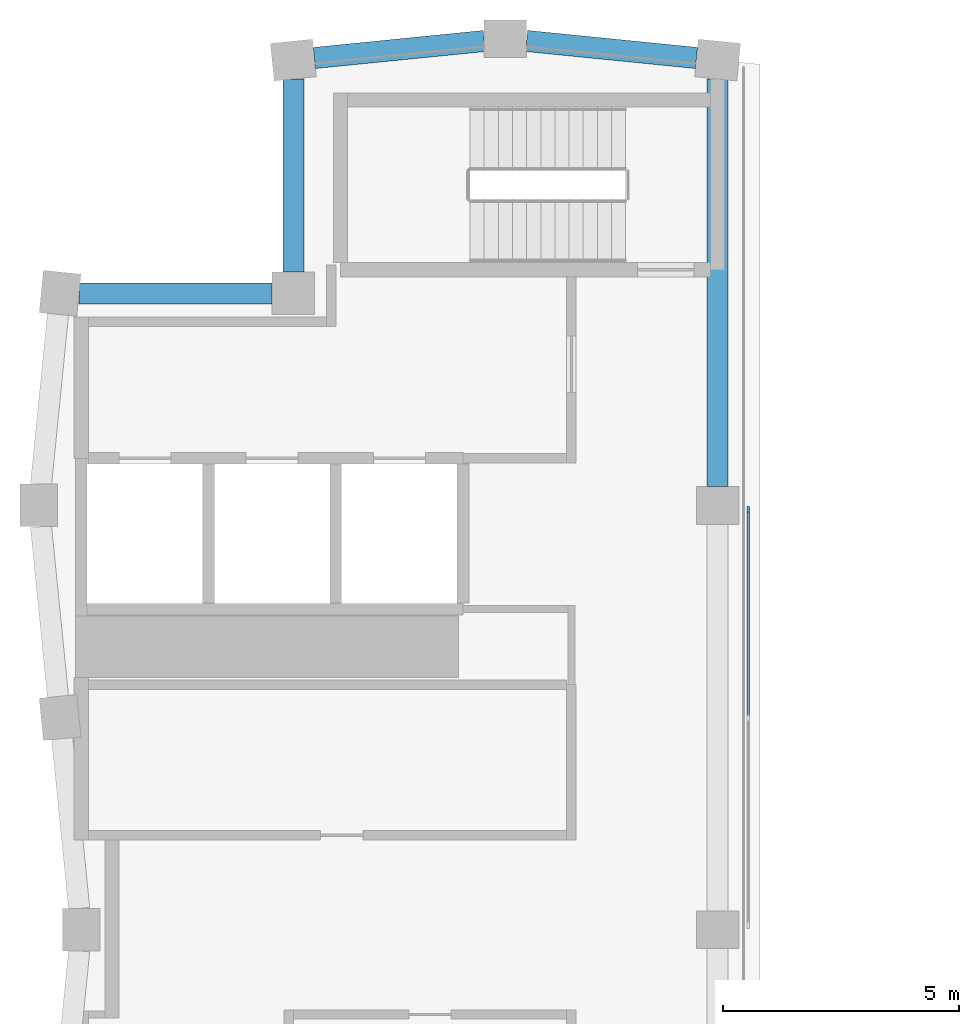
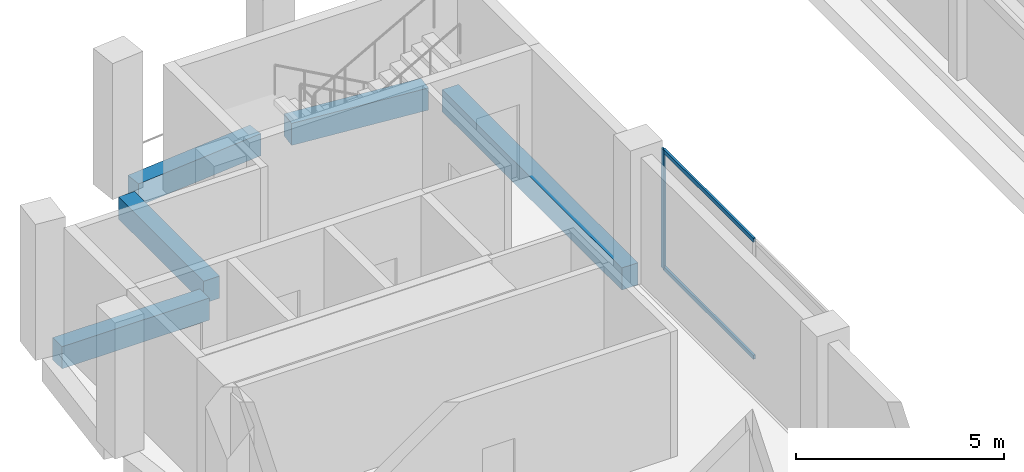
# One storey, part 3 of 8: 5 beams, 3 members, 1 element without a shape of its own.
"""IFC4 building model written with IfcOpenShell, lengths in metres."""

import ifcopenshell
import ifcopenshell.guid

model = None  # the IFC model being written
_history = None  # IfcOwnerHistory: only IFC2X3 demands one
_inside = {}  # id of a spatial element -> (the spatial element, [elements in it])
_under = {}  # id of a project, library or spatial element -> (it, [spatial elements below it])
_declared = {}  # id of a project -> (the project, [libraries it declares])
_typed = {}  # id of a type object -> (the type object, [elements of that type])
_made_of = {}  # id of a material, layer set ... -> (it, [elements and type objects made of it])


def new_model(schema):
    """Start an empty IFC model of exactly this schema.

    Asked for "IFC4X3", IfcOpenShell would pick the latest addendum, in which some entities
    have other attributes; the version numbers below select the first issue.
    IFC2X3 requires an IfcOwnerHistory on every rooted entity: one is made here for all.
    """
    global model, _history
    if schema == "IFC4X3":
        model = ifcopenshell.file(schema_version=(4, 3, 0, 0))
    else:
        model = ifcopenshell.file(schema=schema)
    _inside.clear()
    _under.clear()
    _declared.clear()
    _typed.clear()
    _made_of.clear()
    _history = None
    if model.schema == "IFC2X3":
        org = make("IfcOrganization", Name="unknown")
        user = make(
            "IfcPersonAndOrganization",
            ThePerson=make("IfcPerson", FamilyName="unknown"),
            TheOrganization=org,
        )
        app = make(
            "IfcApplication",
            ApplicationDeveloper=org,
            Version="unknown",
            ApplicationFullName="unknown",
            ApplicationIdentifier="unknown",
        )
        _history = make(
            "IfcOwnerHistory",
            OwningUser=user,
            OwningApplication=app,
            ChangeAction="ADDED",
            CreationDate=0,
        )
    return model


def make(cls, **values):
    """One entity of the class cls with the attributes given. An attribute that is None is left unset."""
    return model.create_entity(
        cls, **{name: value for name, value in values.items() if value is not None}
    )


def rooted(cls, **values):
    """An entity with a GlobalId (a new one), such as an element, a storey or a relation."""
    return make(cls, GlobalId=ifcopenshell.guid.new(), OwnerHistory=_history, **values)


def si_unit(unit_type, name, prefix=None):
    """IfcSIUnit, for example si_unit("LENGTHUNIT", "METRE", prefix="MILLI")."""
    return make("IfcSIUnit", UnitType=unit_type, Prefix=prefix, Name=name)


def assignment(units):
    """IfcUnitAssignment: the units of a project."""
    return None if units is None else make("IfcUnitAssignment", Units=units)


def point(xyz):
    """IfcCartesianPoint."""
    return None if xyz is None else make("IfcCartesianPoint", Coordinates=xyz)


def direction(xyz):
    """IfcDirection."""
    return None if xyz is None else make("IfcDirection", DirectionRatios=xyz)


def frame(location, z_axis=None, x_axis=None):
    """IfcAxis2Placement3D, a coordinate frame: its origin and axes. An axis left out is left unset."""
    return make(
        "IfcAxis2Placement3D",
        Location=point(location),
        Axis=direction(z_axis),
        RefDirection=direction(x_axis),
    )


def frame_2d(location, x_axis=None):
    """IfcAxis2Placement2D, a coordinate frame in the plane: its origin and x axis."""
    return make(
        "IfcAxis2Placement2D", Location=point(location), RefDirection=direction(x_axis)
    )


def origin():
    """The frame at (0, 0, 0) with its axes left unset."""
    return frame((0.0, 0.0, 0.0))


def origin_2d():
    """The frame at (0, 0) in the plane with its x axis left unset."""
    return frame_2d((0.0, 0.0))


def place(relative_to, where):
    """IfcLocalPlacement: puts the frame where relative to a parent placement (None: the world)."""
    return make(
        "IfcLocalPlacement", PlacementRelTo=relative_to, RelativePlacement=where
    )


def context(
    kind, dimensions, precision=None, world=None, true_north=None, identifier=None
):
    """IfcGeometricRepresentationContext, for example the 3D "Model" context."""
    return make(
        "IfcGeometricRepresentationContext",
        ContextIdentifier=identifier,
        ContextType=kind,
        CoordinateSpaceDimension=dimensions,
        Precision=precision,
        WorldCoordinateSystem=world,
        TrueNorth=true_north,
    )


def subcontext(parent, identifier, kind, view, scale=None):
    """IfcGeometricRepresentationSubContext, for example "Body" below "Model"."""
    return make(
        "IfcGeometricRepresentationSubContext",
        ContextIdentifier=identifier,
        ContextType=kind,
        ParentContext=parent,
        TargetScale=scale,
        TargetView=view,
    )


def project(units=None, contexts=None):
    """IfcProject with its units and contexts."""
    return rooted(
        "IfcProject",
        Name="project",
        RepresentationContexts=contexts,
        UnitsInContext=assignment(units),
    )


def spatial(cls, under=None, at=None, **own):
    """A site, building, storey or space (cls), placed at a placement, below another one or the project."""
    s = rooted(cls, ObjectPlacement=at, **own)
    if under is not None:
        _under.setdefault(under.id(), (under, []))[1].append(s)
    return s


def profile(cls, at=None, kind="AREA", **sizes):
    """A parametric profile (cls). Its sizes go by their IFC names, for example OverallWidth=200.0."""
    return make(cls, ProfileType=kind, Position=at, **sizes)


def rectangle(**sizes):
    """IfcRectangleProfileDef."""
    return profile("IfcRectangleProfileDef", **sizes)


def extrude(swept, where, along, depth):
    """IfcExtrudedAreaSolid: the profile swept, set in the frame where, extruded along a direction by depth."""
    return make(
        "IfcExtrudedAreaSolid",
        SweptArea=swept,
        Position=where,
        ExtrudedDirection=direction(along),
        Depth=depth,
    )


def shape(context_of_items, identifier, shape_type, items):
    """IfcShapeRepresentation: the items that make up one representation, for example the "Body"."""
    return make(
        "IfcShapeRepresentation",
        ContextOfItems=context_of_items,
        RepresentationIdentifier=identifier,
        RepresentationType=shape_type,
        Items=items,
    )


def material(Name=None, Category=None):
    """IfcMaterial."""
    return make("IfcMaterial", Name=Name, Category=Category)


def material_profile(
    of_material, cross_section, Name=None, Category=None, Priority=None
):
    """IfcMaterialProfile: a cross section and its material."""
    return make(
        "IfcMaterialProfile",
        Name=Name,
        Material=of_material,
        Profile=cross_section,
        Priority=Priority,
        Category=Category,
    )


def profile_set(profiles, Name=None, composite=None):
    """IfcMaterialProfileSet."""
    return make(
        "IfcMaterialProfileSet",
        Name=Name,
        MaterialProfiles=profiles,
        CompositeProfile=composite,
    )


def made_of(thing, what):
    """Note that an element or type object is made of a material, layer set ...; save() writes the relation."""
    if what is not None:
        _made_of.setdefault(what.id(), (what, []))[1].append(thing)
    return thing


def type_object(cls, material=None, **own):
    """A type object (cls), such as IfcWallType, which elements share."""
    return made_of(rooted(cls, **own), material)


def element(
    cls,
    number,
    at=None,
    inside=None,
    cuts=None,
    type_object=None,
    material=None,
    context=None,
    identifier="Body",
    shape_type=None,
    held_by="IfcProductDefinitionShape",
    body=None,
    shapes=None,
    **own,
):
    """One element of the class cls, such as IfcWall. Its Tag is "e" and its number.

    at: its placement. inside: the storey or other place that contains it. cuts: it is an
    opening in that element (IfcRelVoidsElement). A single representation is given by context,
    identifier, shape_type and body (its items); several are given by shapes. held_by: the class
    of the entity that holds the representations. save() writes the other relations.
    """
    e = rooted(cls, Tag="e%d" % number, ObjectPlacement=at, **own)
    if body is not None:
        shapes = [shape(context, identifier, shape_type, body)]
    if shapes is not None:
        e.Representation = make(held_by, Representations=shapes)
    if inside is not None:
        _inside.setdefault(inside.id(), (inside, []))[1].append(e)
    if cuts is not None:
        rooted(
            "IfcRelVoidsElement", RelatingBuildingElement=cuts, RelatedOpeningElement=e
        )
    if type_object is not None:
        _typed.setdefault(type_object.id(), (type_object, []))[1].append(e)
    return made_of(e, material)


def aggregate(whole, parts):
    """IfcRelAggregates: a whole, such as a stair, and the parts it consists of."""
    return rooted("IfcRelAggregates", RelatingObject=whole, RelatedObjects=parts)


def save(model, path):
    """Write the relations noted so far, then the file.

    IfcRelAggregates (storeys below a building ...), IfcRelContainedInSpatialStructure (elements
    in a storey), IfcRelDefinesByType, IfcRelAssociatesMaterial and IfcRelDeclares: one each for
    every whole, place, type object, material and project.
    """
    for whole, parts in _under.values():
        aggregate(whole, parts)
    for where, things in _inside.values():
        rooted(
            "IfcRelContainedInSpatialStructure",
            RelatedElements=things,
            RelatingStructure=where,
        )
    for kind, things in _typed.values():
        rooted("IfcRelDefinesByType", RelatedObjects=things, RelatingType=kind)
    for what, things in _made_of.values():
        rooted("IfcRelAssociatesMaterial", RelatedObjects=things, RelatingMaterial=what)
    for by, libraries in _declared.values():
        rooted("IfcRelDeclares", RelatingContext=by, RelatedDefinitions=libraries)
    model.write(path)


model = new_model("IFC4")

# Units and contexts
model_context = context("Model", 3, precision=1e-05, world=origin(), true_north=direction((0.0, 1.0)))
body_context = subcontext(model_context, "Body", "Model", "MODEL_VIEW")
ifc_project = project(units=[si_unit("LENGTHUNIT", "METRE"), si_unit("AREAUNIT", "SQUARE_METRE"), si_unit("VOLUMEUNIT", "CUBIC_METRE"), si_unit("PLANEANGLEUNIT", "RADIAN"), si_unit("MASSUNIT", "GRAM", prefix="KILO")], contexts=[model_context])

# Site, building, storey
site_placement = place(None, origin())
site = spatial("IfcSite", under=ifc_project, at=site_placement, CompositionType="ELEMENT")
building_placement = place(site_placement, origin())
building = spatial("IfcBuilding", under=site, at=building_placement, Name="Brondeck Convention Tower", CompositionType="ELEMENT")
storey_placement = place(building_placement, frame((0.0, 0.0, 302.800048828125)))
storey = spatial("IfcBuildingStorey", under=building, at=storey_placement, Name="L75", CompositionType="ELEMENT", Elevation=302.800048828125)

# Curtain wall, members
ifc_material_1 = material(Name="Aluminium, bronze anodised", Category="aluminium")
curtain_wall_type = type_object("IfcCurtainWallType", Name="Crown screen curtain wall", PredefinedType="NOTDEFINED", material=ifc_material_1)
curtain_wall_placement = place(storey_placement, origin())
curtain_wall = element("IfcCurtainWall", 1, at=curtain_wall_placement, inside=storey, type_object=curtain_wall_type, Name="ENV-CW4-L75-K1-SLOT-W-05", PredefinedType="NOTDEFINED")
ifc_material_profile_1 = material_profile(ifc_material_1, rectangle(XDim=0.06005859375, YDim=0.139892578125, at=origin_2d()), Name="CW4 mullion")
ifc_profile_set_1 = profile_set([ifc_material_profile_1], Name="Aluminium, bronze anodised")
member_type_1 = type_object("IfcMemberType", Name="CW4 mullion", PredefinedType="MULLION", material=ifc_profile_set_1)
member_1_placement = place(storey_placement, frame((14.14990234375, 53.909912109375, 0.0), z_axis=(0.0, 0.0, 1.0), x_axis=(1.0, 0.0, 0.0)))
member_1 = element("IfcMember", 2, at=member_1_placement, type_object=member_type_1, Name="CW4 mullion 1", PredefinedType="MULLION", context=body_context, shape_type="SweptSolid", body=[
    extrude(rectangle(XDim=0.06005859375, YDim=0.139892578125, at=origin_2d()), origin(), (0.0, 0.0, 1.0), 3.5),
])
ifc_material_profile_2 = material_profile(ifc_material_1, rectangle(XDim=0.06005859375, YDim=0.1201171875, at=origin_2d()), Name="CW4 transom")
ifc_profile_set_2 = profile_set([ifc_material_profile_2], Name="Aluminium, bronze anodised")
member_type_2 = type_object("IfcMemberType", Name="CW4 transom", PredefinedType="USERDEFINED", material=ifc_profile_set_2)
member_2_placement = place(storey_placement, frame((14.14990234375, 53.8798828125, 0.030029296875), z_axis=(0.0, -1.0, 0.0), x_axis=(1.0, 0.0, 0.0)))
member_2 = element("IfcMember", 3, at=member_2_placement, type_object=member_type_2, Name="CW4 transom 1.1", ObjectType="TRANSOM", PredefinedType="USERDEFINED", context=body_context, shape_type="SweptSolid", body=[
    extrude(rectangle(XDim=0.06005859375, YDim=0.1201171875, at=origin_2d()), origin(), (0.0, 0.0, 1.0), 4.349853515625),
])
member_3_placement = place(storey_placement, frame((14.14990234375, 53.8798828125, 3.469970703125), z_axis=(0.0, -1.0, 0.0), x_axis=(1.0, 0.0, 0.0)))
member_3 = element("IfcMember", 4, at=member_3_placement, type_object=member_type_2, Name="CW4 transom 1.2", ObjectType="TRANSOM", PredefinedType="USERDEFINED", context=body_context, shape_type="SweptSolid", body=[
    extrude(rectangle(XDim=0.06005859375, YDim=0.1201171875, at=origin_2d()), origin(), (0.0, 0.0, 1.0), 4.349853515625),
])
aggregate(curtain_wall, [member_1, member_2, member_3])

# Beams
ifc_material_2 = material(Name="Concrete C50/60", Category="concrete")
ifc_material_profile_3 = material_profile(ifc_material_2, rectangle(XDim=0.449951171875, YDim=0.64990234375, at=origin_2d()), Name="Precast spandrel 450x650 Concrete C50/60")
ifc_profile_set_3 = profile_set([ifc_material_profile_3], Name="Concrete C50/60")
beam_type = type_object("IfcBeamType", Name="Precast spandrel 450x650 Concrete C50/60", PredefinedType="SPANDREL", material=ifc_profile_set_3)
beam_placement = place(storey_placement, frame((13.5, 54.39990234375, -0.324951171875), z_axis=(0.0, 1.0, 0.0), x_axis=(-1.0, 0.0, 0.0)))
element("IfcBeam", 5, at=beam_placement, inside=storey, type_object=beam_type, Name="STR-SP-L75K1-005", PredefinedType="SPANDREL", context=body_context, shape_type="SweptSolid", body=[
    extrude(rectangle(XDim=0.449951171875, YDim=0.64990234375, at=origin_2d()), origin(), (0.0, 0.0, 1.0), 8.648193359375),
])
for number, where, z_axis, x_axis, name in (
    (6, (13.05224609375, 63.494873046875, -0.324951171875), (-0.995040528141, 0.099470334057, 0.0), (-0.099470334057, -0.995040528141, 0.0), "STR-SP-L75K1-006"),
    (7, (8.550048828125, 63.85498046875, -0.324951171875), (-0.995040528141, -0.099470334057, 0.0), (0.099470334057, -0.995040528141, 0.0), "STR-SP-L75K1-007"),
):
    element("IfcBeam", number, at=place(storey_placement, frame(where, z_axis=z_axis, x_axis=x_axis)), inside=storey, type_object=beam_type, Name=name, PredefinedType="SPANDREL", context=body_context, shape_type="SweptSolid", body=[
        extrude(rectangle(XDim=0.449951171875, YDim=0.64990234375, at=origin_2d()), origin(), (0.0, 0.0, 1.0), 3.620361328125),
    ])
for number, where, z_axis, x_axis, name in (
    (8, (4.5, 63.048095703125, -0.324951171875), (0.0, -1.0, 0.0), (1.0, 0.0, 0.0), "STR-SP-L75K1-008"),
    (9, (4.050048828125, 58.5, -0.324951171875), (-1.0, 0.0, 0.0), (0.0, -1.0, 0.0), "STR-SP-L75K1-009"),
):
    element("IfcBeam", number, at=place(storey_placement, frame(where, z_axis=z_axis, x_axis=x_axis)), inside=storey, type_object=beam_type, Name=name, PredefinedType="SPANDREL", context=body_context, shape_type="SweptSolid", body=[
        extrude(rectangle(XDim=0.449951171875, YDim=0.64990234375, at=origin_2d()), origin(), (0.0, 0.0, 1.0), 4.09814453125),
    ])

save(model, "model.ifc")
